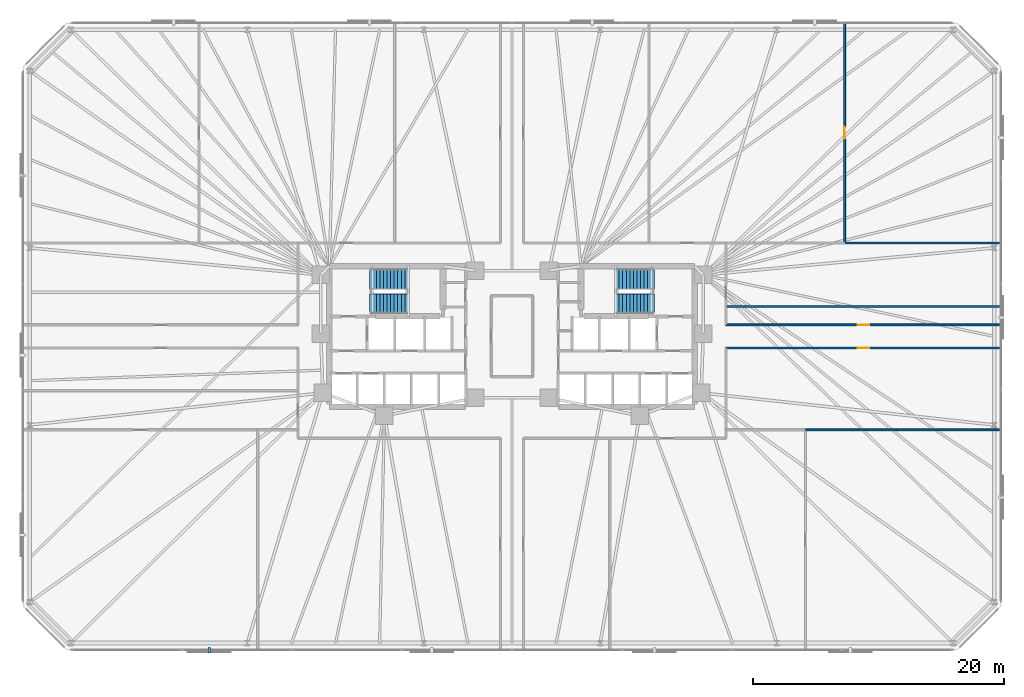
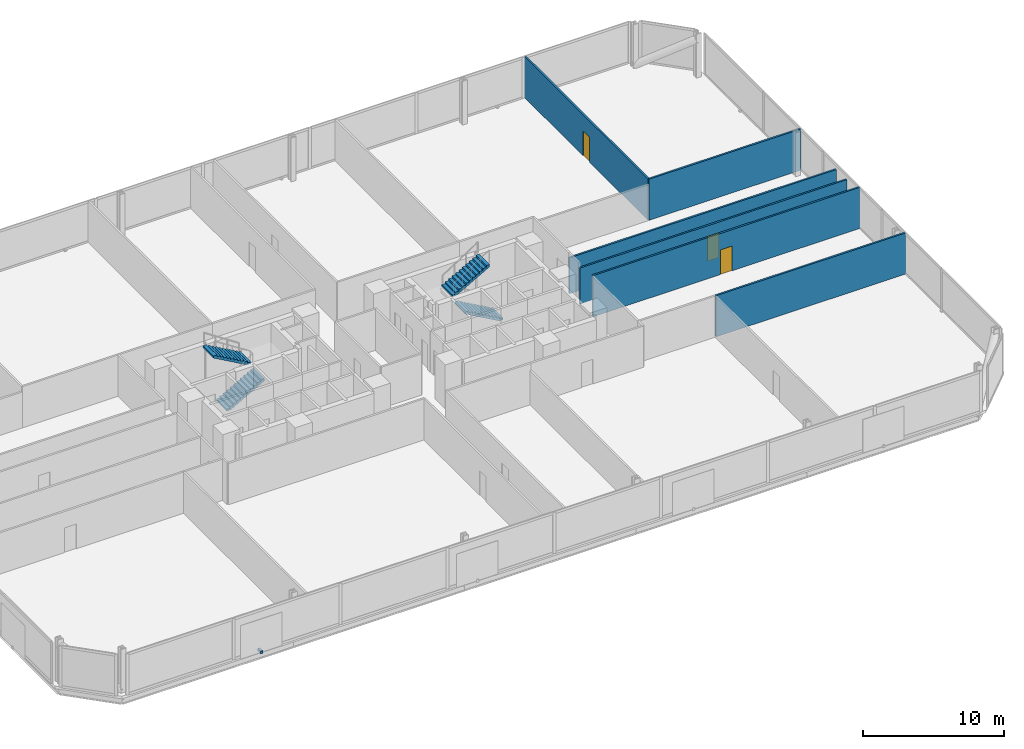
# One storey, part 15 of 17: 6 walls, 4 stair flights, 3 doors, 1 discrete accessory, 3 openings, 2 elements without a shape of their own.
"""IFC4 building model written with IfcOpenShell, lengths in metres."""

import ifcopenshell
import ifcopenshell.guid

model = None  # the IFC model being written
_history = None  # IfcOwnerHistory: only IFC2X3 demands one
_inside = {}  # id of a spatial element -> (the spatial element, [elements in it])
_under = {}  # id of a project, library or spatial element -> (it, [spatial elements below it])
_declared = {}  # id of a project -> (the project, [libraries it declares])
_typed = {}  # id of a type object -> (the type object, [elements of that type])
_made_of = {}  # id of a material, layer set ... -> (it, [elements and type objects made of it])


def new_model(schema):
    """Start an empty IFC model of exactly this schema.

    Asked for "IFC4X3", IfcOpenShell would pick the latest addendum, in which some entities
    have other attributes; the version numbers below select the first issue.
    IFC2X3 requires an IfcOwnerHistory on every rooted entity: one is made here for all.
    """
    global model, _history
    if schema == "IFC4X3":
        model = ifcopenshell.file(schema_version=(4, 3, 0, 0))
    else:
        model = ifcopenshell.file(schema=schema)
    _inside.clear()
    _under.clear()
    _declared.clear()
    _typed.clear()
    _made_of.clear()
    _history = None
    if model.schema == "IFC2X3":
        org = make("IfcOrganization", Name="unknown")
        user = make(
            "IfcPersonAndOrganization",
            ThePerson=make("IfcPerson", FamilyName="unknown"),
            TheOrganization=org,
        )
        app = make(
            "IfcApplication",
            ApplicationDeveloper=org,
            Version="unknown",
            ApplicationFullName="unknown",
            ApplicationIdentifier="unknown",
        )
        _history = make(
            "IfcOwnerHistory",
            OwningUser=user,
            OwningApplication=app,
            ChangeAction="ADDED",
            CreationDate=0,
        )
    return model


def make(cls, **values):
    """One entity of the class cls with the attributes given. An attribute that is None is left unset."""
    return model.create_entity(
        cls, **{name: value for name, value in values.items() if value is not None}
    )


def rooted(cls, **values):
    """An entity with a GlobalId (a new one), such as an element, a storey or a relation."""
    return make(cls, GlobalId=ifcopenshell.guid.new(), OwnerHistory=_history, **values)


def si_unit(unit_type, name, prefix=None):
    """IfcSIUnit, for example si_unit("LENGTHUNIT", "METRE", prefix="MILLI")."""
    return make("IfcSIUnit", UnitType=unit_type, Prefix=prefix, Name=name)


def assignment(units):
    """IfcUnitAssignment: the units of a project."""
    return None if units is None else make("IfcUnitAssignment", Units=units)


def point(xyz):
    """IfcCartesianPoint."""
    return None if xyz is None else make("IfcCartesianPoint", Coordinates=xyz)


def direction(xyz):
    """IfcDirection."""
    return None if xyz is None else make("IfcDirection", DirectionRatios=xyz)


def frame(location, z_axis=None, x_axis=None):
    """IfcAxis2Placement3D, a coordinate frame: its origin and axes. An axis left out is left unset."""
    return make(
        "IfcAxis2Placement3D",
        Location=point(location),
        Axis=direction(z_axis),
        RefDirection=direction(x_axis),
    )


def frame_2d(location, x_axis=None):
    """IfcAxis2Placement2D, a coordinate frame in the plane: its origin and x axis."""
    return make(
        "IfcAxis2Placement2D", Location=point(location), RefDirection=direction(x_axis)
    )


def origin():
    """The frame at (0, 0, 0) with its axes left unset."""
    return frame((0.0, 0.0, 0.0))


def origin_2d():
    """The frame at (0, 0) in the plane with its x axis left unset."""
    return frame_2d((0.0, 0.0))


def place(relative_to, where):
    """IfcLocalPlacement: puts the frame where relative to a parent placement (None: the world)."""
    return make(
        "IfcLocalPlacement", PlacementRelTo=relative_to, RelativePlacement=where
    )


def context(
    kind, dimensions, precision=None, world=None, true_north=None, identifier=None
):
    """IfcGeometricRepresentationContext, for example the 3D "Model" context."""
    return make(
        "IfcGeometricRepresentationContext",
        ContextIdentifier=identifier,
        ContextType=kind,
        CoordinateSpaceDimension=dimensions,
        Precision=precision,
        WorldCoordinateSystem=world,
        TrueNorth=true_north,
    )


def subcontext(parent, identifier, kind, view, scale=None):
    """IfcGeometricRepresentationSubContext, for example "Body" below "Model"."""
    return make(
        "IfcGeometricRepresentationSubContext",
        ContextIdentifier=identifier,
        ContextType=kind,
        ParentContext=parent,
        TargetScale=scale,
        TargetView=view,
    )


def project(units=None, contexts=None):
    """IfcProject with its units and contexts."""
    return rooted(
        "IfcProject",
        Name="project",
        RepresentationContexts=contexts,
        UnitsInContext=assignment(units),
    )


def spatial(cls, under=None, at=None, **own):
    """A site, building, storey or space (cls), placed at a placement, below another one or the project."""
    s = rooted(cls, ObjectPlacement=at, **own)
    if under is not None:
        _under.setdefault(under.id(), (under, []))[1].append(s)
    return s


def polyline(points):
    """IfcPolyline through the points."""
    return make("IfcPolyline", Points=[point(p) for p in points])


def profile(cls, at=None, kind="AREA", **sizes):
    """A parametric profile (cls). Its sizes go by their IFC names, for example OverallWidth=200.0."""
    return make(cls, ProfileType=kind, Position=at, **sizes)


def rectangle(**sizes):
    """IfcRectangleProfileDef."""
    return profile("IfcRectangleProfileDef", **sizes)


def outline(outer, holes=None, kind="AREA"):
    """IfcArbitraryClosedProfileDef: a profile drawn as a closed curve; with holes, ...WithVoids."""
    if holes is None:
        return make("IfcArbitraryClosedProfileDef", ProfileType=kind, OuterCurve=outer)
    return make(
        "IfcArbitraryProfileDefWithVoids",
        ProfileType=kind,
        OuterCurve=outer,
        InnerCurves=holes,
    )


def extrude(swept, where, along, depth):
    """IfcExtrudedAreaSolid: the profile swept, set in the frame where, extruded along a direction by depth."""
    return make(
        "IfcExtrudedAreaSolid",
        SweptArea=swept,
        Position=where,
        ExtrudedDirection=direction(along),
        Depth=depth,
    )


def shape(context_of_items, identifier, shape_type, items):
    """IfcShapeRepresentation: the items that make up one representation, for example the "Body"."""
    return make(
        "IfcShapeRepresentation",
        ContextOfItems=context_of_items,
        RepresentationIdentifier=identifier,
        RepresentationType=shape_type,
        Items=items,
    )


def material(Name=None, Category=None):
    """IfcMaterial."""
    return make("IfcMaterial", Name=Name, Category=Category)


def layer(
    of_material, thickness, ventilated=None, Name=None, Category=None, Priority=None
):
    """IfcMaterialLayer: one layer of a wall or slab, of a material (None: an air gap)."""
    return make(
        "IfcMaterialLayer",
        Material=of_material,
        LayerThickness=thickness,
        IsVentilated=ventilated,
        Name=Name,
        Category=Category,
        Priority=Priority,
    )


def layer_set(layers, Name=None):
    """IfcMaterialLayerSet."""
    return make("IfcMaterialLayerSet", MaterialLayers=layers, LayerSetName=Name)


def made_of(thing, what):
    """Note that an element or type object is made of a material, layer set ...; save() writes the relation."""
    if what is not None:
        _made_of.setdefault(what.id(), (what, []))[1].append(thing)
    return thing


def type_object(cls, material=None, **own):
    """A type object (cls), such as IfcWallType, which elements share."""
    return made_of(rooted(cls, **own), material)


def element(
    cls,
    number,
    at=None,
    inside=None,
    cuts=None,
    type_object=None,
    material=None,
    context=None,
    identifier="Body",
    shape_type=None,
    held_by="IfcProductDefinitionShape",
    body=None,
    shapes=None,
    **own,
):
    """One element of the class cls, such as IfcWall. Its Tag is "e" and its number.

    at: its placement. inside: the storey or other place that contains it. cuts: it is an
    opening in that element (IfcRelVoidsElement). A single representation is given by context,
    identifier, shape_type and body (its items); several are given by shapes. held_by: the class
    of the entity that holds the representations. save() writes the other relations.
    """
    e = rooted(cls, Tag="e%d" % number, ObjectPlacement=at, **own)
    if body is not None:
        shapes = [shape(context, identifier, shape_type, body)]
    if shapes is not None:
        e.Representation = make(held_by, Representations=shapes)
    if inside is not None:
        _inside.setdefault(inside.id(), (inside, []))[1].append(e)
    if cuts is not None:
        rooted(
            "IfcRelVoidsElement", RelatingBuildingElement=cuts, RelatedOpeningElement=e
        )
    if type_object is not None:
        _typed.setdefault(type_object.id(), (type_object, []))[1].append(e)
    return made_of(e, material)


def fill(opening, filler):
    """IfcRelFillsElement: the door or window that sits in an opening."""
    return rooted(
        "IfcRelFillsElement",
        RelatingOpeningElement=opening,
        RelatedBuildingElement=filler,
    )


def aggregate(whole, parts):
    """IfcRelAggregates: a whole, such as a stair, and the parts it consists of."""
    return rooted("IfcRelAggregates", RelatingObject=whole, RelatedObjects=parts)


def save(model, path):
    """Write the relations noted so far, then the file.

    IfcRelAggregates (storeys below a building ...), IfcRelContainedInSpatialStructure (elements
    in a storey), IfcRelDefinesByType, IfcRelAssociatesMaterial and IfcRelDeclares: one each for
    every whole, place, type object, material and project.
    """
    for whole, parts in _under.values():
        aggregate(whole, parts)
    for where, things in _inside.values():
        rooted(
            "IfcRelContainedInSpatialStructure",
            RelatedElements=things,
            RelatingStructure=where,
        )
    for kind, things in _typed.values():
        rooted("IfcRelDefinesByType", RelatedObjects=things, RelatingType=kind)
    for what, things in _made_of.values():
        rooted("IfcRelAssociatesMaterial", RelatedObjects=things, RelatingMaterial=what)
    for by, libraries in _declared.values():
        rooted("IfcRelDeclares", RelatingContext=by, RelatedDefinitions=libraries)
    model.write(path)


model = new_model("IFC4")

# Units and contexts
model_context = context("Model", 3, precision=1e-05, world=origin(), true_north=direction((0.0, 1.0)))
body_context = subcontext(model_context, "Body", "Model", "MODEL_VIEW")
ifc_project = project(units=[si_unit("LENGTHUNIT", "METRE"), si_unit("AREAUNIT", "SQUARE_METRE"), si_unit("VOLUMEUNIT", "CUBIC_METRE"), si_unit("PLANEANGLEUNIT", "RADIAN"), si_unit("MASSUNIT", "GRAM", prefix="KILO")], contexts=[model_context])

# Site, building, storey
site_placement = place(None, origin())
site = spatial("IfcSite", under=ifc_project, at=site_placement, CompositionType="ELEMENT")
building_placement = place(site_placement, origin())
building = spatial("IfcBuilding", under=site, at=building_placement, Name="Menara Jurai Vektor", CompositionType="ELEMENT")
storey_placement = place(building_placement, frame((0.0, 0.0, 48.39990234375)))
storey = spatial("IfcBuildingStorey", under=building, at=storey_placement, Name="L11", CompositionType="ELEMENT", Elevation=48.39990234375)

# Wall, opening, door
ifc_material_1 = material(Name="Gypsum Fireboard Partition", Category="gypsum")
ifc_layer_1 = layer(ifc_material_1, 0.14990234375)
ifc_layer_set_1 = layer_set([ifc_layer_1], Name="Gypsum Fireboard Partition")
wall_type_1 = type_object("IfcWallType", Name="INT-WALL-CORR-150", PredefinedType="PARTITIONING", material=ifc_layer_set_1)
wall_1_placement = place(storey_placement, frame((17.05908203125, -0.919921875, 0.0), z_axis=(0.0, 0.0, 1.0), x_axis=(1.0, 0.0, 0.0)))
wall_1 = element("IfcWall", 1, at=wall_1_placement, inside=storey, type_object=wall_type_1, Name="Interior Wall IW-150 L11", PredefinedType="PARTITIONING", context=body_context, shape_type="SweptSolid", body=[
    extrude(rectangle(XDim=21.94091796875, YDim=0.14990234375, at=frame_2d((10.970458984375, 0.0))), origin(), (0.0, 0.0, 1.0), 3.5751953125),
])
opening_1_placement = place(wall_1_placement, frame((10.49560546875, 0.0, 0.0)))
opening_1 = element("IfcOpeningElement", 2, at=opening_1_placement, cuts=wall_1, Name="Opening D11-17", PredefinedType="OPENING", context=body_context, shape_type="SweptSolid", body=[
    extrude(rectangle(XDim=0.949951171875, YDim=2.14990234375, at=frame_2d((0.47509765625, 1.074951171875))), frame((0.0, 0.0849609375, 0.0), z_axis=(0.0, -1.0, 0.0), x_axis=(1.0, 0.0, 0.0)), (0.0, 0.0, 1.0), 0.169921875),
])
ifc_material_2 = material(Name="Solid Core Timber Fire Door", Category="wood")
door_type = type_object("IfcDoorType", Name="DR-ENTRY-950", OperationType="NOTDEFINED", PredefinedType="DOOR", material=ifc_material_2)
door_1_placement = place(opening_1_placement, origin())
door_1 = element("IfcDoor", 3, at=door_1_placement, inside=storey, type_object=door_type, Name="Interior Door D11-17", OperationType="SINGLE_SWING_RIGHT", OverallHeight=2.14990234375, OverallWidth=0.949951171875, PredefinedType="DOOR", context=body_context, shape_type="SweptSolid", body=[
    extrude(rectangle(XDim=0.949951171875, YDim=2.14990234375, at=frame_2d((0.47509765625, 1.074951171875))), frame((0.0, 0.02490234375, 0.0), z_axis=(0.0, -1.0, 0.0), x_axis=(1.0, 0.0, 0.0)), (0.0, 0.0, 1.0), 0.050048828125),
])
fill(opening_1, door_1)

wall_2_placement = place(storey_placement, frame((26.52001953125, 7.449951171875, 0.0), z_axis=(0.0, 0.0, 1.0), x_axis=(0.0, 1.0, 0.0)))
wall_2 = element("IfcWall", 4, at=wall_2_placement, inside=storey, type_object=wall_type_1, Name="Interior Wall IW-150 L11", PredefinedType="PARTITIONING", context=body_context, shape_type="SweptSolid", body=[
    extrude(rectangle(XDim=17.550048828125, YDim=0.14990234375, at=frame_2d((8.77490234375, 0.0))), origin(), (0.0, 0.0, 1.0), 3.5751953125),
])
opening_2_placement = place(wall_2_placement, frame((8.300048828125, 0.0, 0.0)))
opening_2 = element("IfcOpeningElement", 5, at=opening_2_placement, cuts=wall_2, Name="Opening D11-21", PredefinedType="OPENING", context=body_context, shape_type="SweptSolid", body=[
    extrude(rectangle(XDim=0.949951171875, YDim=2.14990234375, at=frame_2d((0.47509765625, 1.074951171875))), frame((0.0, 0.0849609375, 0.0), z_axis=(0.0, -1.0, 0.0), x_axis=(1.0, 0.0, 0.0)), (0.0, 0.0, 1.0), 0.169921875),
])
door_2_placement = place(opening_2_placement, origin())
door_2 = element("IfcDoor", 6, at=door_2_placement, inside=storey, type_object=door_type, Name="Interior Door D11-21", OperationType="SINGLE_SWING_RIGHT", OverallHeight=2.14990234375, OverallWidth=0.949951171875, PredefinedType="DOOR", context=body_context, shape_type="SweptSolid", body=[
    extrude(rectangle(XDim=0.949951171875, YDim=2.14990234375, at=frame_2d((0.47509765625, 1.074951171875))), frame((0.0, 0.02490234375, 0.0), z_axis=(0.0, -1.0, 0.0), x_axis=(1.0, 0.0, 0.0)), (0.0, 0.0, 1.0), 0.050048828125),
])
fill(opening_2, door_2)

# Walls
wall_3_placement = place(storey_placement, frame((26.52001953125, 7.449951171875, 0.0), z_axis=(0.0, 0.0, 1.0), x_axis=(1.0, 0.0, 0.0)))
element("IfcWall", 7, at=wall_3_placement, inside=storey, type_object=wall_type_1, Name="Interior Wall IW-150 L11", PredefinedType="PARTITIONING", context=body_context, shape_type="SweptSolid", body=[
    extrude(rectangle(XDim=12.47998046875, YDim=0.14990234375, at=frame_2d((6.239990234375, 0.0))), origin(), (0.0, 0.0, 1.0), 3.5751953125),
])
wall_4_placement = place(storey_placement, frame((23.39990234375, -7.449951171875, 0.0), z_axis=(0.0, 0.0, 1.0), x_axis=(1.0, 0.0, 0.0)))
element("IfcWall", 8, at=wall_4_placement, inside=storey, type_object=wall_type_1, Name="Interior Wall IW-150 L11", PredefinedType="PARTITIONING", context=body_context, shape_type="SweptSolid", body=[
    extrude(rectangle(XDim=15.60009765625, YDim=0.14990234375, at=frame_2d((7.800048828125, 0.0))), origin(), (0.0, 0.0, 1.0), 3.5751953125),
])

# Wall, opening, door
ifc_layer_2 = layer(ifc_material_1, 0.14990234375)
ifc_layer_set_2 = layer_set([ifc_layer_2], Name="Gypsum Fireboard Partition")
wall_type_2 = type_object("IfcWallType", Name="INT-WALL-CORR-150-H1", PredefinedType="PARTITIONING", material=ifc_layer_set_2)
wall_5_placement = place(storey_placement, frame((17.05908203125, 0.919921875, 0.0), z_axis=(0.0, 0.0, 1.0), x_axis=(1.0, 0.0, 0.0)))
wall_5 = element("IfcWall", 9, at=wall_5_placement, inside=storey, type_object=wall_type_2, Name="Interior Wall IW-150 L11", PredefinedType="PARTITIONING", context=body_context, shape_type="SweptSolid", body=[
    extrude(rectangle(XDim=21.94091796875, YDim=0.14990234375, at=frame_2d((10.970458984375, 0.0))), origin(), (0.0, 0.0, 1.0), 3.125),
])
opening_3_placement = place(wall_5_placement, frame((10.49560546875, 0.0, 0.0)))
opening_3 = element("IfcOpeningElement", 10, at=opening_3_placement, cuts=wall_5, Name="Opening D11-18", PredefinedType="OPENING", context=body_context, shape_type="SweptSolid", body=[
    extrude(rectangle(XDim=0.949951171875, YDim=2.14990234375, at=frame_2d((0.47509765625, 1.074951171875))), frame((0.0, 0.0849609375, 0.0), z_axis=(0.0, -1.0, 0.0), x_axis=(1.0, 0.0, 0.0)), (0.0, 0.0, 1.0), 0.169921875),
])
door_3_placement = place(opening_3_placement, origin())
door_3 = element("IfcDoor", 11, at=door_3_placement, inside=storey, type_object=door_type, Name="Interior Door D11-18", OperationType="SINGLE_SWING_LEFT", OverallHeight=2.14990234375, OverallWidth=0.949951171875, PredefinedType="DOOR", context=body_context, shape_type="SweptSolid", body=[
    extrude(rectangle(XDim=0.949951171875, YDim=2.14990234375, at=frame_2d((0.47509765625, 1.074951171875))), frame((0.0, 0.02490234375, 0.0), z_axis=(0.0, -1.0, 0.0), x_axis=(1.0, 0.0, 0.0)), (0.0, 0.0, 1.0), 0.050048828125),
])
fill(opening_3, door_3)

# Wall
wall_6_placement = place(storey_placement, frame((17.05908203125, 2.384033203125, 0.0), z_axis=(0.0, 0.0, 1.0), x_axis=(1.0, 0.0, 0.0)))
element("IfcWall", 12, at=wall_6_placement, inside=storey, type_object=wall_type_2, Name="Interior Wall IW-150 L11", PredefinedType="PARTITIONING", context=body_context, shape_type="SweptSolid", body=[
    extrude(rectangle(XDim=21.94091796875, YDim=0.14990234375, at=frame_2d((10.970458984375, 0.0))), origin(), (0.0, 0.0, 1.0), 3.125),
])

# Stair, stair flights
ifc_material_3 = material(Name="Concrete C40/50", Category="concrete")
stair_type = type_object("IfcStairType", Name="STAIR-DOGLEG-1500", PredefinedType="HALF_TURN_STAIR", material=ifc_material_3)
stair_1_placement = place(storey_placement, origin())
stair_1 = element("IfcStair", 13, at=stair_1_placement, inside=storey, type_object=stair_type, Name="Protected Exit Stair ST1 L11", PredefinedType="HALF_TURN_STAIR")
stair_flight_type = type_object("IfcStairFlightType", Name="STAIR-FLIGHT-1500", PredefinedType="STRAIGHT", material=ifc_material_3)
stair_flight_1_placement = place(storey_placement, frame((-11.35009765625, 2.64990234375, 0.0), z_axis=(0.0, 0.0, 1.0), x_axis=(1.0, 0.0, 0.0)))
stair_flight_1 = element("IfcStairFlight", 14, at=stair_flight_1_placement, type_object=stair_flight_type, Name="ST1 flight 1", NumberOfRisers=12, NumberOfTreads=11, PredefinedType="STRAIGHT", RiserHeight=0.158333, TreadLength=0.28, context=body_context, shape_type="SweptSolid", body=[
    extrude(outline(polyline([(0.0, 0.0), (0.0, 0.158447265625), (0.280029296875, 0.158447265625), (0.280029296875, 0.316650390625), (0.56005859375, 0.316650390625), (0.56005859375, 0.47509765625), (0.840087890625, 0.47509765625), (0.840087890625, 0.63330078125), (1.1201171875, 0.63330078125), (1.1201171875, 0.791748046875), (1.39990234375, 0.791748046875), (1.39990234375, 0.949951171875), (1.679931640625, 0.949951171875), (1.679931640625, 1.1083984375), (1.9599609375, 1.1083984375), (1.9599609375, 1.2666015625), (2.239990234375, 1.2666015625), (2.239990234375, 1.425048828125), (2.52001953125, 1.425048828125), (2.52001953125, 1.583251953125), (2.800048828125, 1.583251953125), (2.800048828125, 1.74169921875), (3.080078125, 1.74169921875), (3.080078125, 1.89990234375), (3.080078125, 1.557861328125), (0.324951171875, 0.0), (0.0, 0.0)])), frame((0.0, 0.75, 0.0), z_axis=(0.0, -1.0, 0.0), x_axis=(1.0, 0.0, 0.0)), (0.0, 0.0, 1.0), 1.5),
])
stair_flight_2_placement = place(storey_placement, frame((-8.27001953125, 4.550048828125, 1.900146484375), z_axis=(0.0, 0.0, 1.0), x_axis=(-1.0, 0.0, 0.0)))
stair_flight_2 = element("IfcStairFlight", 15, at=stair_flight_2_placement, type_object=stair_flight_type, Name="ST1 flight 2", NumberOfRisers=12, NumberOfTreads=11, PredefinedType="STRAIGHT", RiserHeight=0.158333, TreadLength=0.28, context=body_context, shape_type="SweptSolid", body=[
    extrude(outline(polyline([(0.0, 0.0), (0.0, 0.158447265625), (0.280029296875, 0.158447265625), (0.280029296875, 0.316650390625), (0.56005859375, 0.316650390625), (0.56005859375, 0.47509765625), (0.840087890625, 0.47509765625), (0.840087890625, 0.63330078125), (1.1201171875, 0.63330078125), (1.1201171875, 0.791748046875), (1.39990234375, 0.791748046875), (1.39990234375, 0.949951171875), (1.679931640625, 0.949951171875), (1.679931640625, 1.1083984375), (1.9599609375, 1.1083984375), (1.9599609375, 1.2666015625), (2.239990234375, 1.2666015625), (2.239990234375, 1.425048828125), (2.52001953125, 1.425048828125), (2.52001953125, 1.583251953125), (2.800048828125, 1.583251953125), (2.800048828125, 1.74169921875), (3.080078125, 1.74169921875), (3.080078125, 1.89990234375), (3.080078125, 1.557861328125), (0.324951171875, 0.0), (0.0, 0.0)])), frame((0.0, 0.75, 0.0), z_axis=(0.0, -1.0, 0.0), x_axis=(1.0, 0.0, 0.0)), (0.0, 0.0, 1.0), 1.5),
])
aggregate(stair_1, [stair_flight_1, stair_flight_2])

stair_2_placement = place(storey_placement, origin())
stair_2 = element("IfcStair", 16, at=stair_2_placement, inside=storey, type_object=stair_type, Name="Protected Exit Stair ST2 L11", PredefinedType="HALF_TURN_STAIR")
stair_flight_3_placement = place(storey_placement, frame((11.35009765625, 2.64990234375, 0.0), z_axis=(0.0, 0.0, 1.0), x_axis=(-1.0, 0.0, 0.0)))
stair_flight_3 = element("IfcStairFlight", 17, at=stair_flight_3_placement, type_object=stair_flight_type, Name="ST2 flight 1", NumberOfRisers=12, NumberOfTreads=11, PredefinedType="STRAIGHT", RiserHeight=0.158333, TreadLength=0.28, context=body_context, shape_type="SweptSolid", body=[
    extrude(outline(polyline([(0.0, 0.0), (0.0, 0.158447265625), (0.280029296875, 0.158447265625), (0.280029296875, 0.316650390625), (0.56005859375, 0.316650390625), (0.56005859375, 0.47509765625), (0.840087890625, 0.47509765625), (0.840087890625, 0.63330078125), (1.1201171875, 0.63330078125), (1.1201171875, 0.791748046875), (1.39990234375, 0.791748046875), (1.39990234375, 0.949951171875), (1.679931640625, 0.949951171875), (1.679931640625, 1.1083984375), (1.9599609375, 1.1083984375), (1.9599609375, 1.2666015625), (2.239990234375, 1.2666015625), (2.239990234375, 1.425048828125), (2.52001953125, 1.425048828125), (2.52001953125, 1.583251953125), (2.800048828125, 1.583251953125), (2.800048828125, 1.74169921875), (3.080078125, 1.74169921875), (3.080078125, 1.89990234375), (3.080078125, 1.557861328125), (0.324951171875, 0.0), (0.0, 0.0)])), frame((0.0, 0.75, 0.0), z_axis=(0.0, -1.0, 0.0), x_axis=(1.0, 0.0, 0.0)), (0.0, 0.0, 1.0), 1.5),
])
stair_flight_4_placement = place(storey_placement, frame((8.27001953125, 4.550048828125, 1.900146484375), z_axis=(0.0, 0.0, 1.0), x_axis=(1.0, 0.0, 0.0)))
stair_flight_4 = element("IfcStairFlight", 18, at=stair_flight_4_placement, type_object=stair_flight_type, Name="ST2 flight 2", NumberOfRisers=12, NumberOfTreads=11, PredefinedType="STRAIGHT", RiserHeight=0.158333, TreadLength=0.28, context=body_context, shape_type="SweptSolid", body=[
    extrude(outline(polyline([(0.0, 0.0), (0.0, 0.158447265625), (0.280029296875, 0.158447265625), (0.280029296875, 0.316650390625), (0.56005859375, 0.316650390625), (0.56005859375, 0.47509765625), (0.840087890625, 0.47509765625), (0.840087890625, 0.63330078125), (1.1201171875, 0.63330078125), (1.1201171875, 0.791748046875), (1.39990234375, 0.791748046875), (1.39990234375, 0.949951171875), (1.679931640625, 0.949951171875), (1.679931640625, 1.1083984375), (1.9599609375, 1.1083984375), (1.9599609375, 1.2666015625), (2.239990234375, 1.2666015625), (2.239990234375, 1.425048828125), (2.52001953125, 1.425048828125), (2.52001953125, 1.583251953125), (2.800048828125, 1.583251953125), (2.800048828125, 1.74169921875), (3.080078125, 1.74169921875), (3.080078125, 1.89990234375), (3.080078125, 1.557861328125), (0.324951171875, 0.0), (0.0, 0.0)])), frame((0.0, 0.75, 0.0), z_axis=(0.0, -1.0, 0.0), x_axis=(1.0, 0.0, 0.0)), (0.0, 0.0, 1.0), 1.5),
])
aggregate(stair_2, [stair_flight_3, stair_flight_4])

# Discrete accessory
ifc_material_4 = material(Name="Steel S355", Category="steel")
discrete_accessory_type = type_object("IfcDiscreteAccessoryType", Name="ENV-ACC-BRACKET", PredefinedType="BRACKET", material=ifc_material_4)
discrete_accessory_placement = place(storey_placement, frame((-24.139892578125, -25.010009765625, -0.1298828125), z_axis=(0.0, 0.0, 1.0), x_axis=(1.0, 0.0, 0.0)))
element("IfcDiscreteAccessory", 19, at=discrete_accessory_placement, inside=storey, type_object=discrete_accessory_type, Name="Solar Screen Stand-Off Bracket L11-S01", PredefinedType="BRACKET", context=body_context, shape_type="SweptSolid", body=[
    extrude(rectangle(XDim=0.179931640625, YDim=0.43994140625, at=origin_2d()), origin(), (0.0, 0.0, 1.0), 0.219970703125),
])

save(model, "model.ifc")
